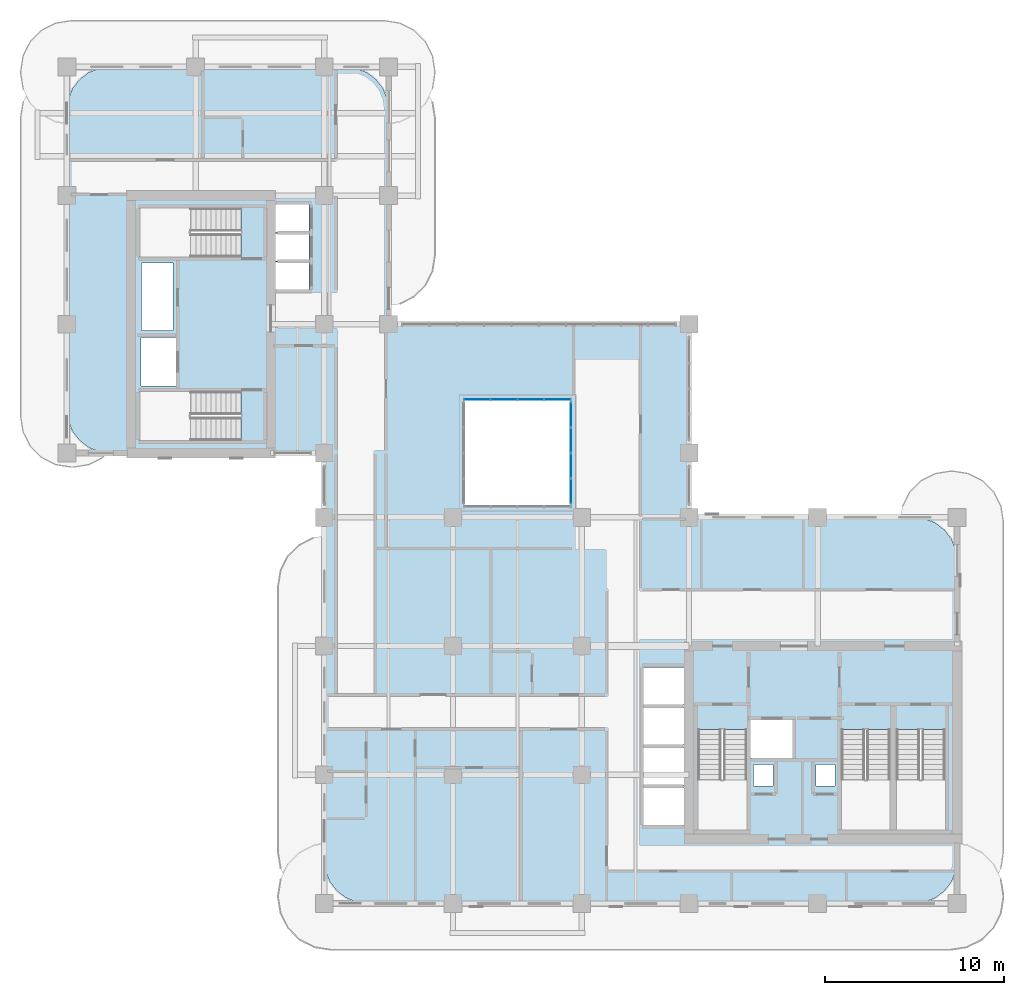
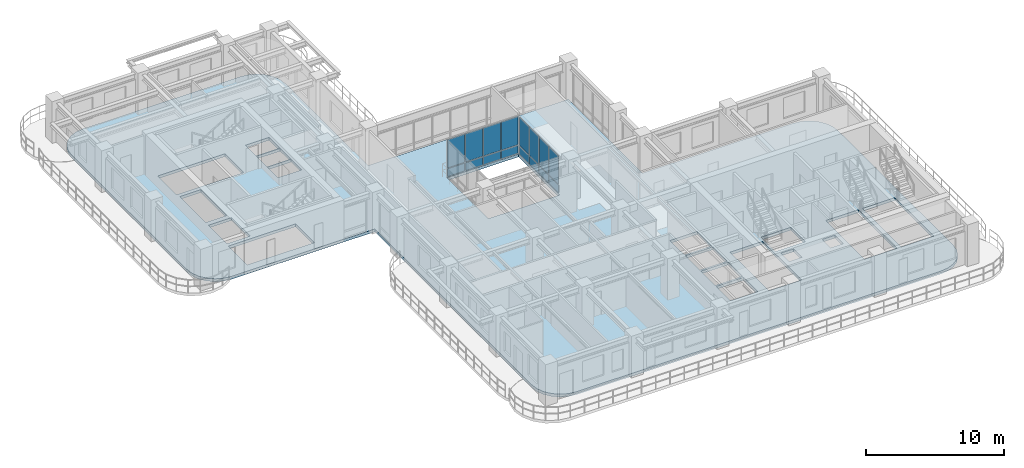
# One storey, part 8 of 20: 16 plates, 1 slab, 2 elements without a shape of their own.
"""IFC4 building model written with IfcOpenShell, lengths in metres."""

from ifc_helpers import new_model, si_unit, derived_unit, direction, frame, origin, origin_2d, place, context, subcontext, project, spatial, polyline, rectangle, outline, extrude, source, transform, mapped, material, layer, layer_set, type_object, element, aggregate, save


model = new_model("IFC4")

# Units and contexts
model_context = context("Model", 3, precision=1e-05, world=origin(), true_north=direction((0.0, 1.0)))
body_context = subcontext(model_context, "Body", "Model", "MODEL_VIEW")
ifc_project = project(units=[si_unit("LENGTHUNIT", "METRE"), si_unit("AREAUNIT", "SQUARE_METRE"), si_unit("VOLUMEUNIT", "CUBIC_METRE"), si_unit("PLANEANGLEUNIT", "RADIAN"), si_unit("MASSUNIT", "GRAM", prefix="KILO"), si_unit("THERMODYNAMICTEMPERATUREUNIT", "KELVIN"), si_unit("POWERUNIT", "WATT"), derived_unit("THERMALTRANSMITTANCEUNIT", [(si_unit("POWERUNIT", "WATT"), 1), (si_unit("AREAUNIT", "SQUARE_METRE"), -1), (si_unit("THERMODYNAMICTEMPERATUREUNIT", "KELVIN"), -1)])], contexts=[model_context])

# Site, building, storey
site_placement = place(None, origin())
site = spatial("IfcSite", under=ifc_project, at=site_placement, CompositionType="ELEMENT")
building_placement = place(site_placement, origin())
building = spatial("IfcBuilding", under=site, at=building_placement, Name="Zahravan Archway Hotel and Residences", CompositionType="ELEMENT")
storey_placement = place(building_placement, frame((0.0, 0.0, 115.5)))
storey = spatial("IfcBuildingStorey", under=building, at=storey_placement, Name="L28", CompositionType="ELEMENT", Elevation=115.5)

# Slab
ifc_material_1 = material(Name="Concrete C45/55", Category="concrete")
ifc_layer_1 = layer(ifc_material_1, 0.25, Name="Concrete C45/55", Category="concrete")
ifc_layer_set_1 = layer_set([ifc_layer_1], Name="Concrete C45/55")
slab_type = type_object("IfcSlabType", Name="SLB-FLR-250", PredefinedType="FLOOR", material=ifc_layer_set_1)
slab_placement = place(storey_placement, frame((0.0, 0.0, -0.25)))
element("IfcSlab", 1, at=slab_placement, inside=storey, type_object=slab_type, Name="L28 Floor Slab LB", PredefinedType="FLOOR", context=body_context, shape_type="SweptSolid", body=[
    extrude(outline(polyline([(34.800048828125, 21.60009765625), (34.800048828125, 32.39990234375), (18.0, 32.39990234375), (18.0, 44.39990234375), (17.918212890625, 45.021240234375), (17.678466796875, 45.60009765625), (17.297119140625, 46.09716796875), (16.800048828125, 46.478515625), (16.22119140625, 46.71826171875), (15.60009765625, 46.800048828125), (2.39990234375, 46.800048828125), (1.77880859375, 46.71826171875), (1.199951171875, 46.478515625), (0.702880859375, 46.09716796875), (0.321533203125, 45.60009765625), (0.081787109375, 45.021240234375), (0.0, 44.39990234375), (0.0, 27.60009765625), (0.081787109375, 26.978759765625), (0.321533203125, 26.39990234375), (0.702880859375, 25.90283203125), (1.199951171875, 25.521484375), (1.77880859375, 25.28173828125), (2.39990234375, 25.199951171875), (14.39990234375, 25.199951171875), (14.39990234375, 19.199951171875), (14.39990234375, 19.10009765625), (14.39990234375, 2.39990234375), (14.481689453125, 1.77880859375), (14.721435546875, 1.199951171875), (15.102783203125, 0.702880859375), (15.60009765625, 0.321533203125), (16.1787109375, 0.081787109375), (16.800048828125, 0.0), (47.39990234375, 0.0), (48.021240234375, 0.081787109375), (48.60009765625, 0.321533203125), (49.09716796875, 0.702880859375), (49.478515625, 1.199951171875), (49.71826171875, 1.77880859375), (49.800048828125, 2.39990234375), (49.800048828125, 19.199951171875), (49.71826171875, 19.8212890625), (49.478515625, 20.39990234375), (49.09716796875, 20.897216796875), (48.60009765625, 21.278564453125), (48.021240234375, 21.518310546875), (47.39990234375, 21.60009765625), (34.800048828125, 21.60009765625)]), holes=[polyline([(35.300048828125, 9.72998046875), (35.300048828125, 4.10009765625), (38.0400390625, 4.10009765625), (38.0400390625, 9.72998046875), (35.300048828125, 9.72998046875)]), polyline([(43.320068359375, 9.72998046875), (43.320068359375, 4.10009765625), (46.06005859375, 4.10009765625), (46.06005859375, 9.72998046875), (43.320068359375, 9.72998046875)]), polyline([(46.39990234375, 9.72998046875), (46.39990234375, 4.10009765625), (49.139892578125, 4.10009765625), (49.139892578125, 9.72998046875), (46.39990234375, 9.72998046875)]), polyline([(9.72998046875, 28.639892578125), (4.10009765625, 28.639892578125), (4.10009765625, 25.89990234375), (9.72998046875, 25.89990234375), (9.72998046875, 28.639892578125)]), polyline([(9.72998046875, 38.89990234375), (4.10009765625, 38.89990234375), (4.10009765625, 36.159912109375), (9.72998046875, 36.159912109375), (9.72998046875, 38.89990234375)]), polyline([(38.179931640625, 8.14990234375), (40.699951171875, 8.14990234375), (40.699951171875, 10.25), (38.179931640625, 10.25), (38.179931640625, 8.14990234375)]), polyline([(4.14990234375, 28.949951171875), (6.10009765625, 28.949951171875), (6.10009765625, 31.64990234375), (4.14990234375, 31.64990234375), (4.14990234375, 28.949951171875)]), polyline([(11.550048828125, 34.35009765625), (13.550048828125, 34.35009765625), (13.550048828125, 35.889892578125), (11.550048828125, 35.889892578125), (11.550048828125, 34.35009765625)]), polyline([(11.550048828125, 35.949951171875), (13.550048828125, 35.949951171875), (13.550048828125, 37.489990234375), (11.550048828125, 37.489990234375), (11.550048828125, 35.949951171875)]), polyline([(11.550048828125, 37.550048828125), (13.550048828125, 37.550048828125), (13.550048828125, 39.090087890625), (11.550048828125, 39.090087890625), (11.550048828125, 37.550048828125)]), polyline([(32.25, 4.39990234375), (34.550048828125, 4.39990234375), (34.550048828125, 6.47998046875), (32.25, 6.47998046875), (32.25, 4.39990234375)]), polyline([(32.25, 6.639892578125), (34.550048828125, 6.639892578125), (34.550048828125, 8.719970703125), (32.25, 8.719970703125), (32.25, 6.639892578125)]), polyline([(32.25, 8.8798828125), (34.550048828125, 8.8798828125), (34.550048828125, 10.9599609375), (32.25, 10.9599609375), (32.25, 8.8798828125)]), polyline([(32.25, 11.1201171875), (34.550048828125, 11.1201171875), (34.550048828125, 13.199951171875), (32.25, 13.199951171875), (32.25, 11.1201171875)]), polyline([(22.199951171875, 22.199951171875), (28.199951171875, 22.199951171875), (28.199951171875, 28.199951171875), (22.199951171875, 28.199951171875), (22.199951171875, 22.199951171875)]), polyline([(38.419921875, 6.56005859375), (39.5, 6.56005859375), (39.5, 7.780029296875), (38.419921875, 7.780029296875), (38.419921875, 6.56005859375)]), polyline([(41.89990234375, 6.56005859375), (42.9599609375, 6.56005859375), (42.9599609375, 7.780029296875), (41.89990234375, 7.780029296875), (41.89990234375, 6.56005859375)]), polyline([(4.179931640625, 32.050048828125), (5.93994140625, 32.050048828125), (5.93994140625, 35.840087890625), (4.179931640625, 35.840087890625), (4.179931640625, 32.050048828125)])]), origin(), (0.0, 0.0, 1.0), 0.25),
])

# Curtain wall, plates
ifc_material_2 = material(Name="Bronze-Anodized Unitised Aluminium & Low-E Glass", Category="aluminium")
ifc_layer_2 = layer(ifc_material_2, 0.179931640625, Name="Bronze-Anodized Unitised Aluminium & Low-E Glass", Category="aluminium")
ifc_layer_set_2 = layer_set([ifc_layer_2], Name="Bronze-Anodized Unitised Aluminium & Low-E Glass")
curtain_wall_type = type_object("IfcCurtainWallType", Name="CW-ATR-GLAZ", PredefinedType="NOTDEFINED", material=ifc_layer_set_2)
curtain_wall_1_placement = place(storey_placement, origin())
curtain_wall_1 = element("IfcCurtainWall", 2, at=curtain_wall_1_placement, inside=storey, type_object=curtain_wall_type, Name="L28 Curtain Wall CW-ATR-L28-N-1", PredefinedType="NOTDEFINED")
ifc_material_3 = material(Name="Insulated Terracotta Spandrel Panel", Category="masonry")
ifc_layer_3 = layer(ifc_material_3, 0.0400390625, Name="Insulated Terracotta Spandrel Panel", Category="masonry")
ifc_layer_set_3 = layer_set([ifc_layer_3], Name="Insulated Terracotta Spandrel Panel")
plate_type_1 = type_object("IfcPlateType", Name="CWP-SPN-40", PredefinedType="SHEET", material=ifc_layer_set_3)
shared_shape_1 = source(origin(), body_context, "Body", "SweptSolid", [
    extrude(rectangle(XDim=1.419921875, YDim=0.0400390625, at=origin_2d()), origin(), (0.0, 0.0, 1.0), 0.68798828125),
])
plate_1_placement = place(storey_placement, frame((22.949951171875, 28.199951171875, 0.10009765625), z_axis=(0.0, 0.0, 1.0), x_axis=(1.0, 0.0, 0.0)))
plate_1 = element("IfcPlate", 3, at=plate_1_placement, type_object=plate_type_1, Name="CW-ATR-L28-N-1 Spandrel Panel 0", PredefinedType="SHEET", context=body_context, shape_type="MappedRepresentation", body=[
    mapped(shared_shape_1, transform((0.0, 0.0, 0.0), scale=1.0)),
])
plate_2_placement = place(storey_placement, frame((24.449951171875, 28.199951171875, 0.10009765625), z_axis=(0.0, 0.0, 1.0), x_axis=(1.0, 0.0, 0.0)))
plate_2 = element("IfcPlate", 4, at=plate_2_placement, type_object=plate_type_1, Name="CW-ATR-L28-N-1 Spandrel Panel 1", PredefinedType="SHEET", context=body_context, shape_type="MappedRepresentation", body=[
    mapped(shared_shape_1, transform((0.0, 0.0, 0.0), scale=1.0)),
])
plate_3_placement = place(storey_placement, frame((25.949951171875, 28.199951171875, 0.10009765625), z_axis=(0.0, 0.0, 1.0), x_axis=(1.0, 0.0, 0.0)))
plate_3 = element("IfcPlate", 5, at=plate_3_placement, type_object=plate_type_1, Name="CW-ATR-L28-N-1 Spandrel Panel 2", PredefinedType="SHEET", context=body_context, shape_type="MappedRepresentation", body=[
    mapped(shared_shape_1, transform((0.0, 0.0, 0.0), scale=1.0)),
])
plate_4_placement = place(storey_placement, frame((27.449951171875, 28.199951171875, 0.10009765625), z_axis=(0.0, 0.0, 1.0), x_axis=(1.0, 0.0, 0.0)))
plate_4 = element("IfcPlate", 6, at=plate_4_placement, type_object=plate_type_1, Name="CW-ATR-L28-N-1 Spandrel Panel 3", PredefinedType="SHEET", context=body_context, shape_type="MappedRepresentation", body=[
    mapped(shared_shape_1, transform((0.0, 0.0, 0.0), scale=1.0)),
])
ifc_material_4 = material(Name="Double-Silver Low-E Insulated Vision Glass", Category="glass")
ifc_layer_4 = layer(ifc_material_4, 0.028076171875, Name="Double-Silver Low-E Insulated Vision Glass", Category="glass")
ifc_layer_set_4 = layer_set([ifc_layer_4], Name="Double-Silver Low-E Insulated Vision Glass")
plate_type_2 = type_object("IfcPlateType", Name="CWP-GLZ-28", PredefinedType="CURTAIN_PANEL", material=ifc_layer_set_4)
shared_shape_2 = source(origin(), body_context, "Body", "SweptSolid", [
    extrude(rectangle(XDim=1.419921875, YDim=0.028076171875, at=origin_2d()), origin(), (0.0, 0.0, 1.0), 2.48193359375),
])
plate_5_placement = place(storey_placement, frame((22.949951171875, 28.199951171875, 0.867919921875), z_axis=(0.0, 0.0, 1.0), x_axis=(1.0, 0.0, 0.0)))
plate_5 = element("IfcPlate", 7, at=plate_5_placement, type_object=plate_type_2, Name="CW-ATR-L28-N-1 Low-E Vision Panel 0", PredefinedType="CURTAIN_PANEL", context=body_context, shape_type="MappedRepresentation", body=[
    mapped(shared_shape_2, transform((0.0, 0.0, 0.0), scale=1.0)),
])
plate_6_placement = place(storey_placement, frame((24.449951171875, 28.199951171875, 0.867919921875), z_axis=(0.0, 0.0, 1.0), x_axis=(1.0, 0.0, 0.0)))
plate_6 = element("IfcPlate", 8, at=plate_6_placement, type_object=plate_type_2, Name="CW-ATR-L28-N-1 Low-E Vision Panel 1", PredefinedType="CURTAIN_PANEL", context=body_context, shape_type="MappedRepresentation", body=[
    mapped(shared_shape_2, transform((0.0, 0.0, 0.0), scale=1.0)),
])
plate_7_placement = place(storey_placement, frame((25.949951171875, 28.199951171875, 0.867919921875), z_axis=(0.0, 0.0, 1.0), x_axis=(1.0, 0.0, 0.0)))
plate_7 = element("IfcPlate", 9, at=plate_7_placement, type_object=plate_type_2, Name="CW-ATR-L28-N-1 Low-E Vision Panel 2", PredefinedType="CURTAIN_PANEL", context=body_context, shape_type="MappedRepresentation", body=[
    mapped(shared_shape_2, transform((0.0, 0.0, 0.0), scale=1.0)),
])
plate_8_placement = place(storey_placement, frame((27.449951171875, 28.199951171875, 0.867919921875), z_axis=(0.0, 0.0, 1.0), x_axis=(1.0, 0.0, 0.0)))
plate_8 = element("IfcPlate", 10, at=plate_8_placement, type_object=plate_type_2, Name="CW-ATR-L28-N-1 Low-E Vision Panel 3", PredefinedType="CURTAIN_PANEL", context=body_context, shape_type="MappedRepresentation", body=[
    mapped(shared_shape_2, transform((0.0, 0.0, 0.0), scale=1.0)),
])
aggregate(curtain_wall_1, [plate_1, plate_5, plate_2, plate_6, plate_3, plate_7, plate_4, plate_8])

curtain_wall_2_placement = place(storey_placement, origin())
curtain_wall_2 = element("IfcCurtainWall", 11, at=curtain_wall_2_placement, inside=storey, type_object=curtain_wall_type, Name="L28 Curtain Wall CW-ATR-L28-E-1", PredefinedType="NOTDEFINED")
shared_shape_3 = source(origin(), body_context, "Body", "SweptSolid", [
    extrude(rectangle(XDim=1.344970703125, YDim=0.0400390625, at=origin_2d()), origin(), (0.0, 0.0, 1.0), 0.68798828125),
])
plate_9_placement = place(storey_placement, frame((28.199951171875, 23.0625, 0.10009765625), z_axis=(0.0, 0.0, 1.0), x_axis=(0.0, 1.0, 0.0)))
plate_9 = element("IfcPlate", 12, at=plate_9_placement, type_object=plate_type_1, Name="CW-ATR-L28-E-1 Spandrel Panel 0", PredefinedType="SHEET", context=body_context, shape_type="MappedRepresentation", body=[
    mapped(shared_shape_3, transform((0.0, 0.0, 0.0), scale=1.0)),
])
plate_10_placement = place(storey_placement, frame((28.199951171875, 24.487548828125, 0.10009765625), z_axis=(0.0, 0.0, 1.0), x_axis=(0.0, 1.0, 0.0)))
plate_10 = element("IfcPlate", 13, at=plate_10_placement, type_object=plate_type_1, Name="CW-ATR-L28-E-1 Spandrel Panel 1", PredefinedType="SHEET", context=body_context, shape_type="MappedRepresentation", body=[
    mapped(shared_shape_3, transform((0.0, 0.0, 0.0), scale=1.0)),
])
plate_11_placement = place(storey_placement, frame((28.199951171875, 25.91259765625, 0.10009765625), z_axis=(0.0, 0.0, 1.0), x_axis=(0.0, 1.0, 0.0)))
plate_11 = element("IfcPlate", 14, at=plate_11_placement, type_object=plate_type_1, Name="CW-ATR-L28-E-1 Spandrel Panel 2", PredefinedType="SHEET", context=body_context, shape_type="MappedRepresentation", body=[
    mapped(shared_shape_3, transform((0.0, 0.0, 0.0), scale=1.0)),
])
plate_12_placement = place(storey_placement, frame((28.199951171875, 27.33740234375, 0.10009765625), z_axis=(0.0, 0.0, 1.0), x_axis=(0.0, 1.0, 0.0)))
plate_12 = element("IfcPlate", 15, at=plate_12_placement, type_object=plate_type_1, Name="CW-ATR-L28-E-1 Spandrel Panel 3", PredefinedType="SHEET", context=body_context, shape_type="MappedRepresentation", body=[
    mapped(shared_shape_3, transform((0.0, 0.0, 0.0), scale=1.0)),
])
shared_shape_4 = source(origin(), body_context, "Body", "SweptSolid", [
    extrude(rectangle(XDim=1.344970703125, YDim=0.028076171875, at=origin_2d()), origin(), (0.0, 0.0, 1.0), 2.48193359375),
])
plate_13_placement = place(storey_placement, frame((28.199951171875, 23.0625, 0.867919921875), z_axis=(0.0, 0.0, 1.0), x_axis=(0.0, 1.0, 0.0)))
plate_13 = element("IfcPlate", 16, at=plate_13_placement, type_object=plate_type_2, Name="CW-ATR-L28-E-1 Low-E Vision Panel 0", PredefinedType="CURTAIN_PANEL", context=body_context, shape_type="MappedRepresentation", body=[
    mapped(shared_shape_4, transform((0.0, 0.0, 0.0), scale=1.0)),
])
plate_14_placement = place(storey_placement, frame((28.199951171875, 24.487548828125, 0.867919921875), z_axis=(0.0, 0.0, 1.0), x_axis=(0.0, 1.0, 0.0)))
plate_14 = element("IfcPlate", 17, at=plate_14_placement, type_object=plate_type_2, Name="CW-ATR-L28-E-1 Low-E Vision Panel 1", PredefinedType="CURTAIN_PANEL", context=body_context, shape_type="MappedRepresentation", body=[
    mapped(shared_shape_4, transform((0.0, 0.0, 0.0), scale=1.0)),
])
plate_15_placement = place(storey_placement, frame((28.199951171875, 25.91259765625, 0.867919921875), z_axis=(0.0, 0.0, 1.0), x_axis=(0.0, 1.0, 0.0)))
plate_15 = element("IfcPlate", 18, at=plate_15_placement, type_object=plate_type_2, Name="CW-ATR-L28-E-1 Low-E Vision Panel 2", PredefinedType="CURTAIN_PANEL", context=body_context, shape_type="MappedRepresentation", body=[
    mapped(shared_shape_4, transform((0.0, 0.0, 0.0), scale=1.0)),
])
plate_16_placement = place(storey_placement, frame((28.199951171875, 27.33740234375, 0.867919921875), z_axis=(0.0, 0.0, 1.0), x_axis=(0.0, 1.0, 0.0)))
plate_16 = element("IfcPlate", 19, at=plate_16_placement, type_object=plate_type_2, Name="CW-ATR-L28-E-1 Low-E Vision Panel 3", PredefinedType="CURTAIN_PANEL", context=body_context, shape_type="MappedRepresentation", body=[
    mapped(shared_shape_4, transform((0.0, 0.0, 0.0), scale=1.0)),
])
aggregate(curtain_wall_2, [plate_9, plate_13, plate_10, plate_14, plate_11, plate_15, plate_12, plate_16])

save(model, "model.ifc")
